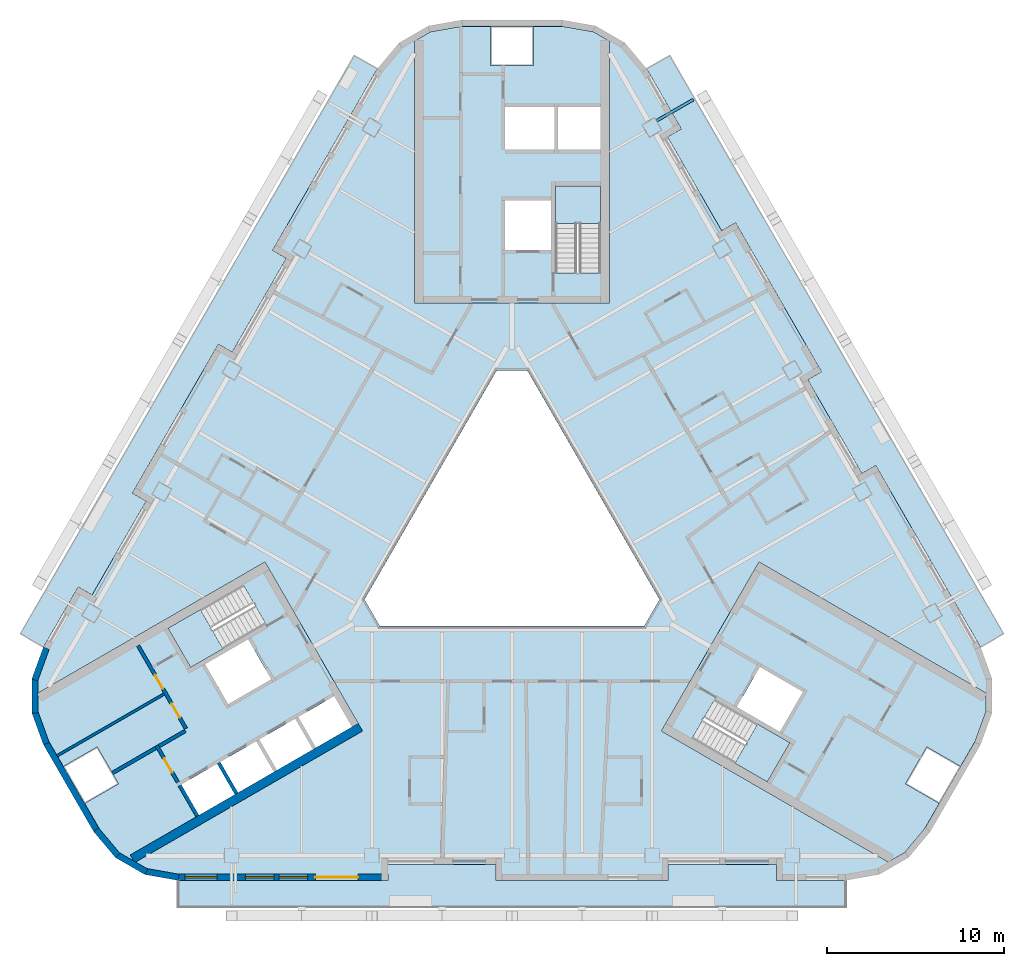
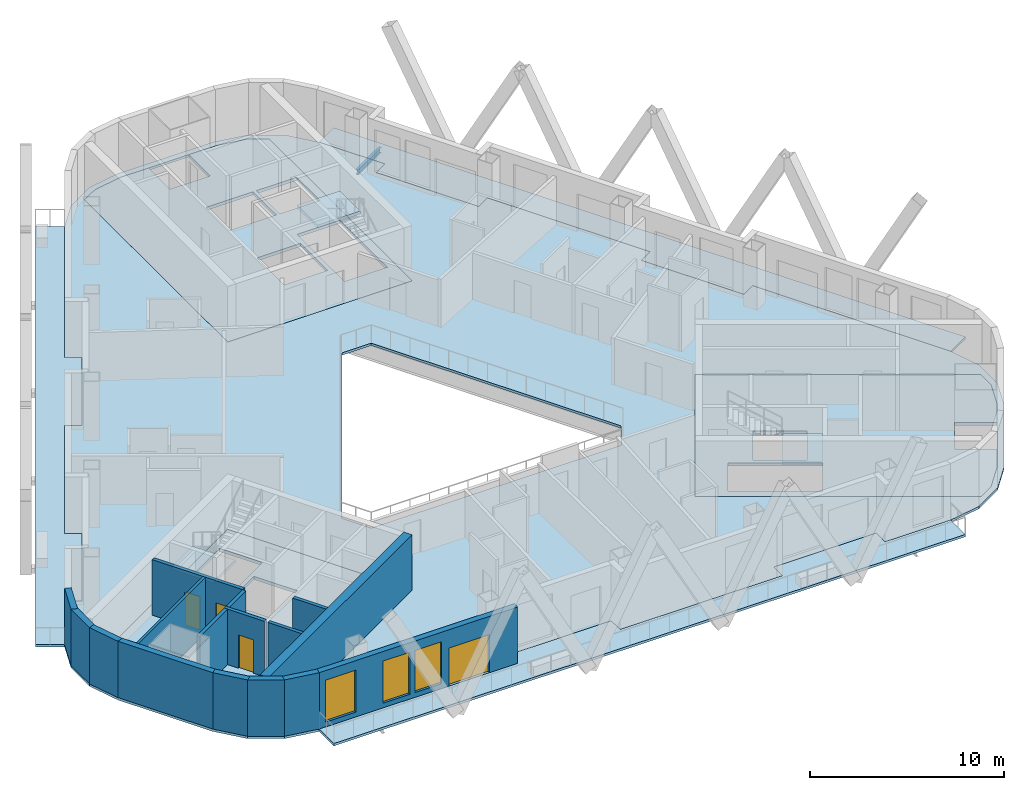
# One storey, part 2 of 14: 16 walls, 10 slabs, 4 doors, 3 windows, 1 beam, 7 openings, 3 elements without a shape of their own.
"""IFC4 building model written with IfcOpenShell, lengths in metres."""

from ifc_helpers import new_model, si_unit, direction, frame, frame_2d, origin, origin_2d, place, context, subcontext, project, spatial, polyline, rectangle, i_section, outline, extrude, material, layer, layer_set, material_profile, profile_set, type_object, element, fill, aggregate, save


model = new_model("IFC4")

# Units and contexts
model_context = context("Model", 3, precision=1e-05, world=origin(), true_north=direction((0.0, 1.0)))
body_context = subcontext(model_context, "Body", "Model", "MODEL_VIEW")
ifc_project = project(units=[si_unit("LENGTHUNIT", "METRE"), si_unit("AREAUNIT", "SQUARE_METRE"), si_unit("VOLUMEUNIT", "CUBIC_METRE"), si_unit("PLANEANGLEUNIT", "RADIAN"), si_unit("MASSUNIT", "GRAM", prefix="KILO")], contexts=[model_context])

# Site, building, storey
site_placement = place(None, origin())
site = spatial("IfcSite", under=ifc_project, at=site_placement, CompositionType="ELEMENT")
building_placement = place(site_placement, origin())
building = spatial("IfcBuilding", under=site, at=building_placement, Name="Apuvela Tower Hotel", CompositionType="ELEMENT")
storey_placement = place(building_placement, frame((0.0, 0.0, 168.800048828125)))
storey = spatial("IfcBuildingStorey", under=building, at=storey_placement, Name="L40", CompositionType="ELEMENT", Elevation=168.800048828125)

# Beam
ifc_material_1 = material(Name="Steel S355", Category="steel")
ifc_material_profile = material_profile(ifc_material_1, i_section(OverallWidth=0.159912109375, OverallDepth=0.330078125, WebThickness=0.007568359375, FlangeThickness=0.011474609375, at=origin_2d()), Name="IPE 330")
ifc_profile_set = profile_set([ifc_material_profile], Name="Steel S355")
beam_type = type_object("IfcBeamType", Name="ENV-BALCONY-BEAM-IPE330", PredefinedType="BEAM", material=ifc_profile_set)
beam_placement = place(storey_placement, frame((8.15576171875, 23.183837890625, -0.31494140625), z_axis=(0.866007538022, 0.500030943131, 0.0), x_axis=(-0.500030943131, 0.866007538022, 0.0)))
element("IfcBeam", 1, at=beam_placement, inside=storey, type_object=beam_type, Name="Balcony cantilever beam NE3 L40", PredefinedType="BEAM", context=body_context, shape_type="SweptSolid", body=[
    extrude(i_section(OverallWidth=0.159912109375, OverallDepth=0.330078125, WebThickness=0.007568359375, FlangeThickness=0.011474609375, at=origin_2d()), origin(), (0.0, 0.0, 1.0), 2.374755859375),
])

# Slabs
ifc_material_2 = material(Name="Concrete C50/60", Category="concrete")
ifc_layer_1 = layer(ifc_material_2, 0.199951171875)
ifc_layer_set_1 = layer_set([ifc_layer_1], Name="COR-FLOOR-200")
slab_type_1 = type_object("IfcSlabType", Name="COR-FLOOR-200", PredefinedType="FLOOR", material=ifc_layer_set_1)
slab_1_placement = place(storey_placement, frame((0.0, 0.0, -0.199951171875)))
element("IfcSlab", 2, at=slab_1_placement, inside=storey, type_object=slab_type_1, Name="Core floor N", PredefinedType="FLOOR", context=body_context, shape_type="SweptSolid", body=[
    extrude(outline(polyline([(5.5, 27.668212890625), (4.588623046875, 28.1943359375), (2.85498046875, 28.5), (1.199951171875, 28.5), (1.199951171875, 26.300048828125), (-1.199951171875, 26.300048828125), (-1.199951171875, 28.5), (-2.85498046875, 28.5), (-4.588623046875, 28.1943359375), (-5.5, 27.668212890625), (-5.5, 12.89990234375), (5.5, 12.89990234375), (5.5, 27.668212890625)]), holes=[polyline([(5.0, 14.60595703125), (2.449951171875, 14.60595703125), (2.449951171875, 19.5), (5.0, 19.5), (5.0, 14.60595703125)]), polyline([(2.199951171875, 15.89990234375), (-0.39990234375, 15.89990234375), (-0.39990234375, 18.699951171875), (2.199951171875, 18.699951171875), (2.199951171875, 15.89990234375)]), polyline([(5.0, 21.550048828125), (2.60009765625, 21.550048828125), (2.60009765625, 23.949951171875), (5.0, 23.949951171875), (5.0, 21.550048828125)]), polyline([(2.39990234375, 21.550048828125), (-0.39990234375, 21.550048828125), (-0.39990234375, 23.949951171875), (2.39990234375, 23.949951171875), (2.39990234375, 21.550048828125)])]), origin(), (0.0, 0.0, 1.0), 0.199951171875),
])
slab_2_placement = place(storey_placement, frame((0.0, 0.0, -0.199951171875)))
element("IfcSlab", 3, at=slab_2_placement, inside=storey, type_object=slab_type_1, Name="Core floor SW", PredefinedType="FLOOR", context=body_context, shape_type="SweptSolid", body=[
    extrude(outline(polyline([(-26.711181640625, -9.07080078125), (-26.711181640625, -10.123291015625), (-26.109375, -11.77734375), (-25.28173828125, -13.210693359375), (-23.37646484375, -12.11083984375), (-22.176513671875, -14.189208984375), (-24.081787109375, -15.289306640625), (-23.254150390625, -16.72265625), (-22.122802734375, -18.071044921875), (-21.211181640625, -18.59716796875), (-8.421630859375, -11.213134765625), (-13.921630859375, -1.68701171875), (-26.711181640625, -9.07080078125)]), holes=[polyline([(-10.01806640625, -9.248046875), (-9.01806640625, -10.97998046875), (-11.044677734375, -12.150146484375), (-12.044677734375, -10.418212890625), (-10.01806640625, -9.248046875)]), polyline([(-14.244384765625, -11.68798828125), (-12.2177734375, -10.51806640625), (-11.2177734375, -12.25), (-13.244384765625, -13.420166015625), (-14.244384765625, -11.68798828125)]), polyline([(-19.387451171875, -5.419921875), (-15.149169921875, -2.972900390625), (-13.874267578125, -5.18115234375), (-18.112548828125, -7.628173828125), (-19.387451171875, -5.419921875)]), polyline([(-14.869873046875, -6.044677734375), (-13.56982421875, -8.29638671875), (-15.99462890625, -9.6962890625), (-17.294677734375, -7.444580078125), (-14.869873046875, -6.044677734375)]), polyline([(-16.444091796875, -12.9580078125), (-14.41748046875, -11.7880859375), (-13.41748046875, -13.52001953125), (-15.444091796875, -14.690185546875), (-16.444091796875, -12.9580078125)]), polyline([(-18.643798828125, -14.22802734375), (-16.6171875, -13.05810546875), (-15.6171875, -14.7900390625), (-17.643798828125, -15.960205078125), (-18.643798828125, -14.22802734375)])]), origin(), (0.0, 0.0, 1.0), 0.199951171875),
])
slab_3_placement = place(storey_placement, frame((0.0, 0.0, -0.199951171875)))
element("IfcSlab", 4, at=slab_3_placement, inside=storey, type_object=slab_type_1, Name="Core floor SE", PredefinedType="FLOOR", context=body_context, shape_type="SweptSolid", body=[
    extrude(outline(polyline([(21.211181640625, -18.59716796875), (22.122802734375, -18.071044921875), (23.254150390625, -16.72265625), (24.081787109375, -15.289306640625), (22.176513671875, -14.189208984375), (23.37646484375, -12.11083984375), (25.28173828125, -13.210693359375), (26.109375, -11.77734375), (26.711181640625, -10.123291015625), (26.711181640625, -9.07080078125), (13.921630859375, -1.68701171875), (8.421630859375, -11.213134765625), (21.211181640625, -18.59716796875)]), holes=[polyline([(11.42431640625, -9.4248046875), (15.66259765625, -11.871826171875), (14.387451171875, -14.080078125), (10.149169921875, -11.633056640625), (11.42431640625, -9.4248046875)]), polyline([(13.9697265625, -7.603515625), (16.394775390625, -9.003662109375), (15.0947265625, -11.25537109375), (12.669921875, -9.855224609375), (13.9697265625, -7.603515625)])]), origin(), (0.0, 0.0, 1.0), 0.199951171875),
])

# Stair, slab
stair_type = type_object("IfcStairType", Name="COR-STAIR-22R", PredefinedType="HALF_TURN_STAIR", material=ifc_material_2)
stair_1_placement = place(storey_placement, origin())
stair_1 = element("IfcStair", 5, at=stair_1_placement, inside=storey, type_object=stair_type, Name="L40 Exit stair ST1", PredefinedType="HALF_TURN_STAIR")
ifc_layer_2 = layer(ifc_material_2, 0.199951171875)
ifc_layer_set_2 = layer_set([ifc_layer_2], Name="COR-LANDING-200")
slab_type_2 = type_object("IfcSlabType", Name="COR-LANDING-200", PredefinedType="LANDING", material=ifc_layer_set_2)
slab_4_placement = place(storey_placement, frame((0.0, 0.0, 1.64990234375)))
slab_4 = element("IfcSlab", 6, at=slab_4_placement, type_object=slab_type_2, Name="ST1 landing 1", PredefinedType="LANDING", context=body_context, shape_type="SweptSolid", body=[
    extrude(outline(polyline([(5.0, 17.39404296875), (5.0, 19.5), (2.449951171875, 19.5), (2.449951171875, 17.39404296875), (5.0, 17.39404296875)])), origin(), (0.0, 0.0, 1.0), 0.199951171875),
])
aggregate(stair_1, [slab_4])

stair_2_placement = place(storey_placement, origin())
stair_2 = element("IfcStair", 7, at=stair_2_placement, inside=storey, type_object=stair_type, Name="L40 Exit stair ST2", PredefinedType="HALF_TURN_STAIR")
slab_5_placement = place(storey_placement, frame((0.0, 0.0, 1.64990234375)))
slab_5 = element("IfcSlab", 8, at=slab_5_placement, type_object=slab_type_2, Name="ST2 landing 1", PredefinedType="LANDING", context=body_context, shape_type="SweptSolid", body=[
    extrude(outline(polyline([(-17.563720703125, -4.366943359375), (-19.387451171875, -5.419921875), (-18.112548828125, -7.628173828125), (-16.28857421875, -6.5751953125), (-17.563720703125, -4.366943359375)])), origin(), (0.0, 0.0, 1.0), 0.199951171875),
])
aggregate(stair_2, [slab_5])

stair_3_placement = place(storey_placement, origin())
stair_3 = element("IfcStair", 9, at=stair_3_placement, inside=storey, type_object=stair_type, Name="L40 Exit stair ST3", PredefinedType="HALF_TURN_STAIR")
slab_6_placement = place(storey_placement, frame((0.0, 0.0, 1.64990234375)))
slab_6 = element("IfcSlab", 10, at=slab_6_placement, type_object=slab_type_2, Name="ST3 landing 1", PredefinedType="LANDING", context=body_context, shape_type="SweptSolid", body=[
    extrude(outline(polyline([(12.563720703125, -13.027099609375), (14.387451171875, -14.080078125), (15.66259765625, -11.871826171875), (13.838623046875, -10.81884765625), (12.563720703125, -13.027099609375)])), origin(), (0.0, 0.0, 1.0), 0.199951171875),
])
aggregate(stair_3, [slab_6])

# Slabs
ifc_material_3 = material(Name="Concrete C40/50, fair-faced", Category="concrete")
ifc_layer_3 = layer(ifc_material_3, 0.14990234375)
ifc_layer_set_3 = layer_set([ifc_layer_3], Name="ENV-BALCONY-150")
slab_type_3 = type_object("IfcSlabType", Name="ENV-BALCONY-150", PredefinedType="FLOOR", material=ifc_layer_set_3)
slab_7_placement = place(storey_placement, frame((0.0, 0.0, -0.150146484375)))
element("IfcSlab", 11, at=slab_7_placement, inside=storey, type_object=slab_type_3, Name="Balcony slab S L40", PredefinedType="FLOOR", context=body_context, shape_type="SweptSolid", body=[
    extrude(outline(polyline([(18.82080078125, -21.135009765625), (-18.82080078125, -21.135009765625), (-18.82080078125, -19.625), (-7.0048828125, -19.625), (-7.0048828125, -18.72509765625), (-0.89501953125, -18.72509765625), (-0.89501953125, -19.625), (8.794921875, -19.625), (8.794921875, -18.72509765625), (14.905029296875, -18.72509765625), (14.905029296875, -19.625), (18.82080078125, -19.625), (18.82080078125, -21.135009765625)])), origin(), (0.0, 0.0, 1.0), 0.150146484375),
])
slab_8_placement = place(storey_placement, frame((0.0, 0.0, -0.150146484375)))
element("IfcSlab", 12, at=slab_8_placement, inside=storey, type_object=slab_type_3, Name="Balcony slab NE L40", PredefinedType="FLOOR", context=body_context, shape_type="SweptSolid", body=[
    extrude(outline(polyline([(17.443359375, 9.037353515625), (12.598388671875, 17.42919921875), (11.81884765625, 16.979248046875), (8.763916015625, 22.2705078125), (9.543212890625, 22.720703125), (7.585205078125, 26.11181640625), (8.89306640625, 26.86669921875), (27.7138671875, -5.731689453125), (26.40625, -6.48681640625), (20.498291015625, 3.74609375), (19.71875, 3.2958984375), (16.663818359375, 8.58740234375), (17.443359375, 9.037353515625)])), origin(), (0.0, 0.0, 1.0), 0.150146484375),
])
slab_9_placement = place(storey_placement, frame((0.0, 0.0, -0.150146484375)))
element("IfcSlab", 13, at=slab_9_placement, inside=storey, type_object=slab_type_3, Name="Balcony slab NW L40", PredefinedType="FLOOR", context=body_context, shape_type="SweptSolid", body=[
    extrude(outline(polyline([(-27.7138671875, -5.731689453125), (-8.89306640625, 26.86669921875), (-7.585205078125, 26.11181640625), (-13.4931640625, 15.87890625), (-12.7138671875, 15.428955078125), (-15.768798828125, 10.1376953125), (-16.548095703125, 10.587646484375), (-21.393310546875, 2.19580078125), (-20.61376953125, 1.745849609375), (-23.668701171875, -3.545654296875), (-24.4482421875, -3.095703125), (-26.40625, -6.48681640625), (-27.7138671875, -5.731689453125)])), origin(), (0.0, 0.0, 1.0), 0.150146484375),
])
ifc_material_4 = material(Name="Concrete C35/45", Category="concrete")
ifc_layer_4 = layer(ifc_material_4, 0.14990234375)
ifc_layer_set_4 = layer_set([ifc_layer_4], Name="STR-SLAB 150 floor Concrete C35/45")
slab_type_4 = type_object("IfcSlabType", Name="STR-SLAB 150 floor Concrete C35/45", PredefinedType="FLOOR", material=ifc_layer_set_4)
slab_10_placement = place(storey_placement, frame((0.0, 0.0, -0.150146484375)))
element("IfcSlab", 14, at=slab_10_placement, inside=storey, type_object=slab_type_4, Name="Floor slab S4 L40", PredefinedType="FLOOR", context=body_context, shape_type="SweptSolid", body=[
    extrude(outline(polyline([(-6.3642578125, 27.5732421875), (-4.710205078125, 28.5283203125), (-2.8291015625, 28.860107421875), (2.8291015625, 28.860107421875), (4.710205078125, 28.5283203125), (6.3642578125, 27.5732421875), (7.59228515625, 26.110107421875), (9.550048828125, 22.71875), (8.770751953125, 22.268798828125), (11.82080078125, 16.986083984375), (12.60009765625, 17.43603515625), (17.4501953125, 9.035400390625), (16.670654296875, 8.58544921875), (19.720703125, 3.302734375), (20.5, 3.752685546875), (26.407958984375, -6.47998046875), (27.061279296875, -8.27490234375), (27.061279296875, -10.18505859375), (26.407958984375, -11.97998046875), (23.5791015625, -16.8798828125), (22.351318359375, -18.34326171875), (20.697021484375, -19.29833984375), (18.81591796875, -19.6298828125), (14.89990234375, -19.6298828125), (14.89990234375, -18.72998046875), (8.800048828125, -18.72998046875), (8.800048828125, -19.6298828125), (-0.89990234375, -19.6298828125), (-0.89990234375, -18.72998046875), (-7.0, -18.72998046875), (-7.0, -19.6298828125), (-18.81591796875, -19.6298828125), (-20.697021484375, -19.29833984375), (-22.351318359375, -18.34326171875), (-23.5791015625, -16.8798828125), (-26.407958984375, -11.97998046875), (-27.061279296875, -10.18505859375), (-27.061279296875, -8.27490234375), (-26.407958984375, -6.47998046875), (-24.4501953125, -3.088623046875), (-23.670654296875, -3.538818359375), (-20.62060546875, 1.743896484375), (-21.400146484375, 2.194091796875), (-16.550048828125, 10.594482421875), (-15.7705078125, 10.14453125), (-12.720703125, 15.42724609375), (-13.5, 15.877197265625), (-7.59228515625, 26.110107421875), (-6.3642578125, 27.5732421875)]), holes=[polyline([(0.865966796875, 9.10009765625), (-0.865966796875, 9.10009765625), (-8.313720703125, -3.800048828125), (-7.44775390625, -5.300048828125), (7.44775390625, -5.300048828125), (8.313720703125, -3.800048828125), (0.865966796875, 9.10009765625)]), polyline([(-5.5, 12.89990234375), (-5.5, 27.668212890625), (-4.588623046875, 28.1943359375), (-2.85498046875, 28.5), (2.85498046875, 28.5), (4.588623046875, 28.1943359375), (5.5, 27.668212890625), (5.5, 12.89990234375), (-5.5, 12.89990234375)]), polyline([(-8.421630859375, -11.213134765625), (-21.211181640625, -18.59716796875), (-22.122802734375, -18.071044921875), (-23.254150390625, -16.72265625), (-26.109375, -11.77734375), (-26.711181640625, -10.123291015625), (-26.711181640625, -9.07080078125), (-13.921630859375, -1.68701171875), (-8.421630859375, -11.213134765625)]), polyline([(13.921630859375, -1.68701171875), (26.711181640625, -9.07080078125), (26.711181640625, -10.123291015625), (26.109375, -11.77734375), (23.254150390625, -16.72265625), (22.122802734375, -18.071044921875), (21.211181640625, -18.59716796875), (8.421630859375, -11.213134765625), (13.921630859375, -1.68701171875)])]), origin(), (0.0, 0.0, 1.0), 0.150146484375),
])

# Walls
ifc_layer_5 = layer(ifc_material_2, 0.5)
ifc_layer_set_5 = layer_set([ifc_layer_5], Name="COR-WALL-CORE-500")
wall_type_1 = type_object("IfcWallType", Name="COR-WALL-CORE-500", PredefinedType="SHEAR", material=ifc_layer_set_5)
wall_1_placement = place(storey_placement, frame((-8.546630859375, -10.99658203125, 0.0), z_axis=(0.0, 0.0, 1.0), x_axis=(-0.866025009528, -0.500000682871, 0.0)))
element("IfcWall", 15, at=wall_1_placement, inside=storey, type_object=wall_type_1, Name="Core wall SW", PredefinedType="SHEAR", context=body_context, shape_type="SweptSolid", body=[
    extrude(rectangle(XDim=14.8369140625, YDim=0.5, at=frame_2d((7.41845703125, 0.0))), origin(), (0.0, 0.0, 1.0), 3.5),
])
ifc_material_5 = material(Name="Blockwork 150 mm plastered", Category="masonry")
ifc_layer_6 = layer(ifc_material_5, 0.14990234375)
ifc_layer_set_6 = layer_set([ifc_layer_6], Name="COR-WALL-PART-150")
wall_type_2 = type_object("IfcWallType", Name="COR-WALL-PART-150", PredefinedType="PARTITIONING", material=ifc_layer_set_6)
wall_2_placement = place(storey_placement, frame((-19.61279296875, -9.129638671875, 0.0), z_axis=(0.0, 0.0, 1.0), x_axis=(-0.866031734426, -0.499989034847, 0.0)))
element("IfcWall", 16, at=wall_2_placement, inside=storey, type_object=wall_type_2, Name="Partition SW", PredefinedType="PARTITIONING", context=body_context, shape_type="SweptSolid", body=[
    extrude(rectangle(XDim=6.949951171875, YDim=0.14990234375, at=frame_2d((3.47509765625, 0.0))), origin(), (0.0, 0.0, 1.0), 3.5),
])

# Wall, openings, doors
ifc_material_6 = material(Name="Blockwork 200 mm plastered", Category="masonry")
ifc_layer_7 = layer(ifc_material_6, 0.199951171875)
ifc_layer_set_7 = layer_set([ifc_layer_7], Name="COR-WALL-PART-200")
wall_type_3 = type_object("IfcWallType", Name="COR-WALL-PART-200", PredefinedType="PARTITIONING", material=ifc_layer_set_7)
wall_3_placement = place(storey_placement, frame((-21.076171875, -6.39501953125, 0.0), z_axis=(0.0, 0.0, 1.0), x_axis=(0.50001468107, -0.866016927499, 0.0)))
wall_3 = element("IfcWall", 17, at=wall_3_placement, inside=storey, type_object=wall_type_3, Name="Partition SW", PredefinedType="PARTITIONING", context=body_context, shape_type="SweptSolid", body=[
    extrude(rectangle(XDim=5.399658203125, YDim=0.199951171875, at=frame_2d((2.69970703125, 0.0))), origin(), (0.0, 0.0, 1.0), 3.5),
])
opening_1_placement = place(wall_3_placement, frame((1.91259765625, 0.0, 0.0)))
opening_1 = element("IfcOpeningElement", 18, at=opening_1_placement, cuts=wall_3, Name="Opening W-RS1", PredefinedType="OPENING", context=body_context, shape_type="SweptSolid", body=[
    extrude(rectangle(XDim=0.89990234375, YDim=2.10009765625, at=frame_2d((0.449951171875, 1.050048828125))), frame((0.0, 0.10986328125, 0.0), z_axis=(0.0, -1.0, 0.0), x_axis=(1.0, 0.0, 0.0)), (0.0, 0.0, 1.0), 0.219970703125),
])
opening_2_placement = place(wall_3_placement, frame((3.78759765625, 0.0, 0.0)))
opening_2 = element("IfcOpeningElement", 19, at=opening_2_placement, cuts=wall_3, Name="Opening W-RS2", PredefinedType="OPENING", context=body_context, shape_type="SweptSolid", body=[
    extrude(rectangle(XDim=0.89990234375, YDim=2.10009765625, at=frame_2d((0.449951171875, 1.050048828125))), frame((0.0, 0.10986328125, 0.0), z_axis=(0.0, -1.0, 0.0), x_axis=(1.0, 0.0, 0.0)), (0.0, 0.0, 1.0), 0.219970703125),
])
ifc_material_7 = material(Name="Steel fire door, powder coated", Category="steel")
door_type_1 = type_object("IfcDoorType", Name="COR-DR-900", OperationType="NOTDEFINED", PredefinedType="DOOR", material=ifc_material_7)
door_1_placement = place(opening_1_placement, frame((0.89990234375, 0.0, 0.0), z_axis=(0.0, 0.0, 1.0), x_axis=(-1.0, 0.0, 0.0)))
door_1 = element("IfcDoor", 20, at=door_1_placement, inside=storey, type_object=door_type_1, Name="Store door W-RS1", OperationType="SINGLE_SWING_LEFT", OverallHeight=2.10009765625, OverallWidth=0.89990234375, PredefinedType="DOOR", context=body_context, shape_type="SweptSolid", body=[
    extrude(rectangle(XDim=0.89990234375, YDim=2.10009765625, at=frame_2d((0.449951171875, 1.050048828125))), frame((0.0, 0.02490234375, 0.0), z_axis=(0.0, -1.0, 0.0), x_axis=(1.0, 0.0, 0.0)), (0.0, 0.0, 1.0), 0.050048828125),
])
fill(opening_1, door_1)
door_2_placement = place(opening_2_placement, frame((0.89990234375, 0.0, 0.0), z_axis=(0.0, 0.0, 1.0), x_axis=(-1.0, 0.0, 0.0)))
door_2 = element("IfcDoor", 21, at=door_2_placement, inside=storey, type_object=door_type_1, Name="Store door W-RS2", OperationType="SINGLE_SWING_LEFT", OverallHeight=2.10009765625, OverallWidth=0.89990234375, PredefinedType="DOOR", context=body_context, shape_type="SweptSolid", body=[
    extrude(rectangle(XDim=0.89990234375, YDim=2.10009765625, at=frame_2d((0.449951171875, 1.050048828125))), frame((0.0, 0.02490234375, 0.0), z_axis=(0.0, -1.0, 0.0), x_axis=(1.0, 0.0, 0.0)), (0.0, 0.0, 1.0), 0.050048828125),
])
fill(opening_2, door_2)

# Wall, opening, door
ifc_layer_8 = layer(ifc_material_2, 0.199951171875)
ifc_layer_set_8 = layer_set([ifc_layer_8], Name="COR-WALL-SHAFT-200")
wall_type_4 = type_object("IfcWallType", Name="COR-WALL-SHAFT-200", PredefinedType="SHEAR", material=ifc_layer_set_8)
wall_4_placement = place(storey_placement, frame((-20.030517578125, -12.0263671875, 0.0), z_axis=(0.0, 0.0, 1.0), x_axis=(0.500033551112, -0.866006032174, 0.0)))
wall_4 = element("IfcWall", 22, at=wall_4_placement, inside=storey, type_object=wall_type_4, Name="Shaft wall SW", PredefinedType="SHEAR", context=body_context, shape_type="SweptSolid", body=[
    extrude(rectangle(XDim=2.400146484375, YDim=0.199951171875, at=frame_2d((1.2001953125, 0.0))), origin(), (0.0, 0.0, 1.0), 3.5),
])
opening_3_placement = place(wall_4_placement, frame((0.85009765625, 0.0, 0.0)))
opening_3 = element("IfcOpeningElement", 23, at=opening_3_placement, cuts=wall_4, Name="Opening W-REP", PredefinedType="OPENING", context=body_context, shape_type="SweptSolid", body=[
    extrude(rectangle(XDim=0.89990234375, YDim=2.10009765625, at=frame_2d((0.449951171875, 1.050048828125))), frame((0.0, 0.10986328125, 0.0), z_axis=(0.0, -1.0, 0.0), x_axis=(1.0, 0.0, 0.0)), (0.0, 0.0, 1.0), 0.219970703125),
])
door_3_placement = place(opening_3_placement, frame((0.89990234375, 0.0, 0.0), z_axis=(0.0, 0.0, 1.0), x_axis=(-1.0, 0.0, 0.0)))
door_3 = element("IfcDoor", 24, at=door_3_placement, inside=storey, type_object=door_type_1, Name="Store door W-REP", OperationType="SINGLE_SWING_LEFT", OverallHeight=2.10009765625, OverallWidth=0.89990234375, PredefinedType="DOOR", context=body_context, shape_type="SweptSolid", body=[
    extrude(rectangle(XDim=0.89990234375, YDim=2.10009765625, at=frame_2d((0.449951171875, 1.050048828125))), frame((0.0, 0.02490234375, 0.0), z_axis=(0.0, -1.0, 0.0), x_axis=(1.0, 0.0, 0.0)), (0.0, 0.0, 1.0), 0.050048828125),
])
fill(opening_3, door_3)

# Walls
wall_5_placement = place(storey_placement, frame((-18.412841796875, -11.2080078125, 0.0), z_axis=(0.0, 0.0, 1.0), x_axis=(-0.866038183914, -0.499977863513, 0.0)))
element("IfcWall", 25, at=wall_5_placement, inside=storey, type_object=wall_type_4, Name="Shaft wall SW", PredefinedType="SHEAR", context=body_context, shape_type="SweptSolid", body=[
    extrude(rectangle(XDim=1.7099609375, YDim=0.199951171875, at=frame_2d((0.85498046875, 0.0))), origin(), (0.0, 0.0, 1.0), 3.5),
])
for number, where, z_axis, x_axis, name in (
    (26, (-16.530517578125, -13.008056640625, 0.0), (0.0, 0.0, 1.0), (0.50002537861, -0.866010750942, 0.0), "Shaft wall SW"),
    (27, (-18.73046875, -14.278076171875, 0.0), (0.0, 0.0, 1.0), (0.50002537861, -0.866010750942, 0.0), "Shaft wall SW"),
):
    element("IfcWall", number, at=place(storey_placement, frame(where, z_axis=z_axis, x_axis=x_axis)), inside=storey, type_object=wall_type_4, Name=name, PredefinedType="SHEAR", context=body_context, shape_type="SweptSolid", body=[
        extrude(rectangle(XDim=2.0, YDim=0.199951171875, at=frame_2d((1.0, 0.0))), origin(), (0.0, 0.0, 1.0), 3.5),
    ])
wall_6_placement = place(storey_placement, frame((-20.06689453125, -12.1630859375, 0.0), z_axis=(0.0, 0.0, 1.0), x_axis=(-0.866055327414, -0.49994816717, 0.0)))
element("IfcWall", 28, at=wall_6_placement, inside=storey, type_object=wall_type_4, Name="Shaft wall SW", PredefinedType="SHEAR", context=body_context, shape_type="SweptSolid", body=[
    extrude(rectangle(XDim=2.840087890625, YDim=0.199951171875, at=frame_2d((1.419921875, 0.0))), origin(), (0.0, 0.0, 1.0), 3.5),
])
ifc_material_8 = material(Name="Concrete C40/50, dark pigmented precast panel", Category="concrete")
ifc_layer_9 = layer(ifc_material_8, 0.35009765625)
ifc_layer_set_9 = layer_set([ifc_layer_9], Name="ENV-WALL-350")
wall_type_5 = type_object("IfcWallType", Name="ENV-WALL-350", PredefinedType="SOLIDWALL", material=ifc_layer_set_9)
for number, where, z_axis, x_axis, name in (
    (29, (-26.24365234375, -6.539794921875, 0.0), (0.0, 0.0, 1.0), (-0.342030395486, -0.939688889242, 0.0), "External wall L40-10"),
    (30, (-26.88623046875, -8.27490234375, 0.0), (0.0, 0.0, 1.0), (0.0, -1.0, 0.0), "External wall L40-11"),
    (31, (-26.89697265625, -10.125244140625, 0.0), (0.0, 0.0, 1.0), (0.342030395486, -0.939688889242, 0.0), "External wall L40-12"),
):
    element("IfcWall", number, at=place(storey_placement, frame(where, z_axis=z_axis, x_axis=x_axis)), inside=storey, type_object=wall_type_5, Name=name, PredefinedType="SOLIDWALL", context=body_context, shape_type="SweptSolid", body=[
        extrude(rectangle(XDim=1.91015625, YDim=0.35009765625, at=frame_2d((0.955078125, 0.0))), origin(), (0.0, 0.0, 1.0), 3.550048828125),
    ])
wall_7_placement = place(storey_placement, frame((-26.256591796875, -11.892578125, 0.0), z_axis=(0.0, 0.0, 1.0), x_axis=(0.500018773155, -0.866014564827, 0.0)))
element("IfcWall", 32, at=wall_7_placement, inside=storey, type_object=wall_type_5, Name="External wall L40-13", PredefinedType="SOLIDWALL", context=body_context, shape_type="SweptSolid", body=[
    extrude(rectangle(XDim=5.657958984375, YDim=0.35009765625, at=frame_2d((2.8291015625, 0.0))), origin(), (0.0, 0.0, 1.0), 3.550048828125),
])
for number, where, z_axis, x_axis, name in (
    (33, (-23.44482421875, -16.767578125, 0.0), (0.0, 0.0, 1.0), (0.642733291068, -0.76609001857, 0.0), "External wall L40-14"),
    (34, (-22.263671875, -18.191650390625, 0.0), (0.0, 0.0, 1.0), (0.866000389056, -0.500043324278, 0.0), "External wall L40-15"),
):
    element("IfcWall", number, at=place(storey_placement, frame(where, z_axis=z_axis, x_axis=x_axis)), inside=storey, type_object=wall_type_5, Name=name, PredefinedType="SOLIDWALL", context=body_context, shape_type="SweptSolid", body=[
        extrude(rectangle(XDim=1.909912109375, YDim=0.35009765625, at=frame_2d((0.955078125, 0.0))), origin(), (0.0, 0.0, 1.0), 3.550048828125),
    ])
wall_8_placement = place(storey_placement, frame((-20.66650390625, -19.1259765625, 0.0), z_axis=(0.0, 0.0, 1.0), x_axis=(0.984798995425, -0.173697837091, 0.0)))
element("IfcWall", 35, at=wall_8_placement, inside=storey, type_object=wall_type_5, Name="External wall L40-16", PredefinedType="SOLIDWALL", context=body_context, shape_type="SweptSolid", body=[
    extrude(rectangle(XDim=1.91015625, YDim=0.35009765625, at=frame_2d((0.955078125, 0.0))), origin(), (0.0, 0.0, 1.0), 3.550048828125),
])

# Wall, openings, door, windows
wall_9_placement = place(storey_placement, frame((-18.81591796875, -19.455078125, 0.0), z_axis=(0.0, 0.0, 1.0), x_axis=(1.0, 0.0, 0.0)))
wall_9 = element("IfcWall", 36, at=wall_9_placement, inside=storey, type_object=wall_type_5, Name="External wall L40-17", PredefinedType="SOLIDWALL", context=body_context, shape_type="SweptSolid", body=[
    extrude(rectangle(XDim=11.81591796875, YDim=0.35009765625, at=frame_2d((5.907958984375, 0.0))), origin(), (0.0, 0.0, 1.0), 3.550048828125),
])
opening_4_placement = place(wall_9_placement, frame((0.380615234375, 0.0, 0.300048828125)))
opening_4 = element("IfcOpeningElement", 37, at=opening_4_placement, cuts=wall_9, Name="Opening WN18", PredefinedType="OPENING", context=body_context, shape_type="SweptSolid", body=[
    extrude(rectangle(XDim=1.800048828125, YDim=2.64990234375, at=frame_2d((0.89990234375, 1.324951171875))), frame((0.0, 0.18505859375, 0.0), z_axis=(0.0, -1.0, 0.0), x_axis=(1.0, 0.0, 0.0)), (0.0, 0.0, 1.0), 0.3701171875),
])
opening_5_placement = place(wall_9_placement, frame((7.740478515625, 0.0, 0.0)))
opening_5 = element("IfcOpeningElement", 38, at=opening_5_placement, cuts=wall_9, Name="Opening BD24", PredefinedType="OPENING", context=body_context, shape_type="SweptSolid", body=[
    extrude(rectangle(XDim=2.39990234375, YDim=2.39990234375, at=frame_2d((1.199951171875, 1.199951171875))), frame((0.0, 0.18505859375, 0.0), z_axis=(0.0, -1.0, 0.0), x_axis=(1.0, 0.0, 0.0)), (0.0, 0.0, 1.0), 0.3701171875),
])
opening_6_placement = place(wall_9_placement, frame((3.790771484375, 0.0, 0.300048828125)))
opening_6 = element("IfcOpeningElement", 39, at=opening_6_placement, cuts=wall_9, Name="Opening WN16", PredefinedType="OPENING", context=body_context, shape_type="SweptSolid", body=[
    extrude(rectangle(XDim=1.60009765625, YDim=2.64990234375, at=frame_2d((0.800048828125, 1.324951171875))), frame((0.0, 0.18505859375, 0.0), z_axis=(0.0, -1.0, 0.0), x_axis=(1.0, 0.0, 0.0)), (0.0, 0.0, 1.0), 0.3701171875),
])
opening_7_placement = place(wall_9_placement, frame((5.69091796875, 0.0, 0.300048828125)))
opening_7 = element("IfcOpeningElement", 40, at=opening_7_placement, cuts=wall_9, Name="Opening WN16", PredefinedType="OPENING", context=body_context, shape_type="SweptSolid", body=[
    extrude(rectangle(XDim=1.60009765625, YDim=2.64990234375, at=frame_2d((0.800048828125, 1.324951171875))), frame((0.0, 0.18505859375, 0.0), z_axis=(0.0, -1.0, 0.0), x_axis=(1.0, 0.0, 0.0)), (0.0, 0.0, 1.0), 0.3701171875),
])
ifc_material_9 = material(Name="Aluminium 6063-T6, dark bronze anodised frame with dark tinted laminated glass", Category="aluminium")
door_type_2 = type_object("IfcDoorType", Name="ENV-DOOR-BALCONY-2400x2400", OperationType="SLIDING_TO_LEFT", PredefinedType="DOOR", material=ifc_material_9)
door_4_placement = place(opening_5_placement, frame((2.39990234375, 0.0, 0.0), z_axis=(0.0, 0.0, 1.0), x_axis=(-1.0, 0.0, 0.0)))
door_4 = element("IfcDoor", 41, at=door_4_placement, inside=storey, type_object=door_type_2, Name="Balcony door BD24", OperationType="SLIDING_TO_LEFT", OverallHeight=2.39990234375, OverallWidth=2.39990234375, PredefinedType="DOOR", context=body_context, shape_type="SweptSolid", body=[
    extrude(rectangle(XDim=2.39990234375, YDim=2.39990234375, at=frame_2d((1.199951171875, 1.199951171875))), frame((0.0, 0.02490234375, 0.0), z_axis=(0.0, -1.0, 0.0), x_axis=(1.0, 0.0, 0.0)), (0.0, 0.0, 1.0), 0.050048828125),
])
fill(opening_5, door_4)
ifc_material_10 = material(Name="Glass, dark tinted laminated insulated glazing unit", Category="glass")
window_type_1 = type_object("IfcWindowType", Name="ENV-WIN-1600x2650", PartitioningType="SINGLE_PANEL", PredefinedType="WINDOW", material=ifc_material_10)
window_1_placement = place(opening_6_placement, origin())
window_1 = element("IfcWindow", 42, at=window_1_placement, inside=storey, type_object=window_type_1, Name="Window WN16", OverallHeight=2.64990234375, OverallWidth=1.60009765625, PartitioningType="SINGLE_PANEL", PredefinedType="WINDOW", context=body_context, shape_type="SweptSolid", body=[
    extrude(rectangle(XDim=1.60009765625, YDim=2.64990234375, at=frame_2d((0.800048828125, 1.324951171875))), frame((0.0, 0.030029296875, 0.0), z_axis=(0.0, -1.0, 0.0), x_axis=(1.0, 0.0, 0.0)), (0.0, 0.0, 1.0), 0.06005859375),
])
fill(opening_6, window_1)
window_2_placement = place(opening_7_placement, origin())
window_2 = element("IfcWindow", 43, at=window_2_placement, inside=storey, type_object=window_type_1, Name="Window WN16", OverallHeight=2.64990234375, OverallWidth=1.60009765625, PartitioningType="SINGLE_PANEL", PredefinedType="WINDOW", context=body_context, shape_type="SweptSolid", body=[
    extrude(rectangle(XDim=1.60009765625, YDim=2.64990234375, at=frame_2d((0.800048828125, 1.324951171875))), frame((0.0, 0.030029296875, 0.0), z_axis=(0.0, -1.0, 0.0), x_axis=(1.0, 0.0, 0.0)), (0.0, 0.0, 1.0), 0.06005859375),
])
fill(opening_7, window_2)
window_type_2 = type_object("IfcWindowType", Name="ENV-WIN-1800x2650", PartitioningType="SINGLE_PANEL", PredefinedType="WINDOW", material=ifc_material_10)
window_3_placement = place(opening_4_placement, origin())
window_3 = element("IfcWindow", 44, at=window_3_placement, inside=storey, type_object=window_type_2, Name="Window WN18", OverallHeight=2.64990234375, OverallWidth=1.800048828125, PartitioningType="SINGLE_PANEL", PredefinedType="WINDOW", context=body_context, shape_type="SweptSolid", body=[
    extrude(rectangle(XDim=1.800048828125, YDim=2.64990234375, at=frame_2d((0.89990234375, 1.324951171875))), frame((0.0, 0.030029296875, 0.0), z_axis=(0.0, -1.0, 0.0), x_axis=(1.0, 0.0, 0.0)), (0.0, 0.0, 1.0), 0.06005859375),
])
fill(opening_4, window_3)

save(model, "model.ifc")
